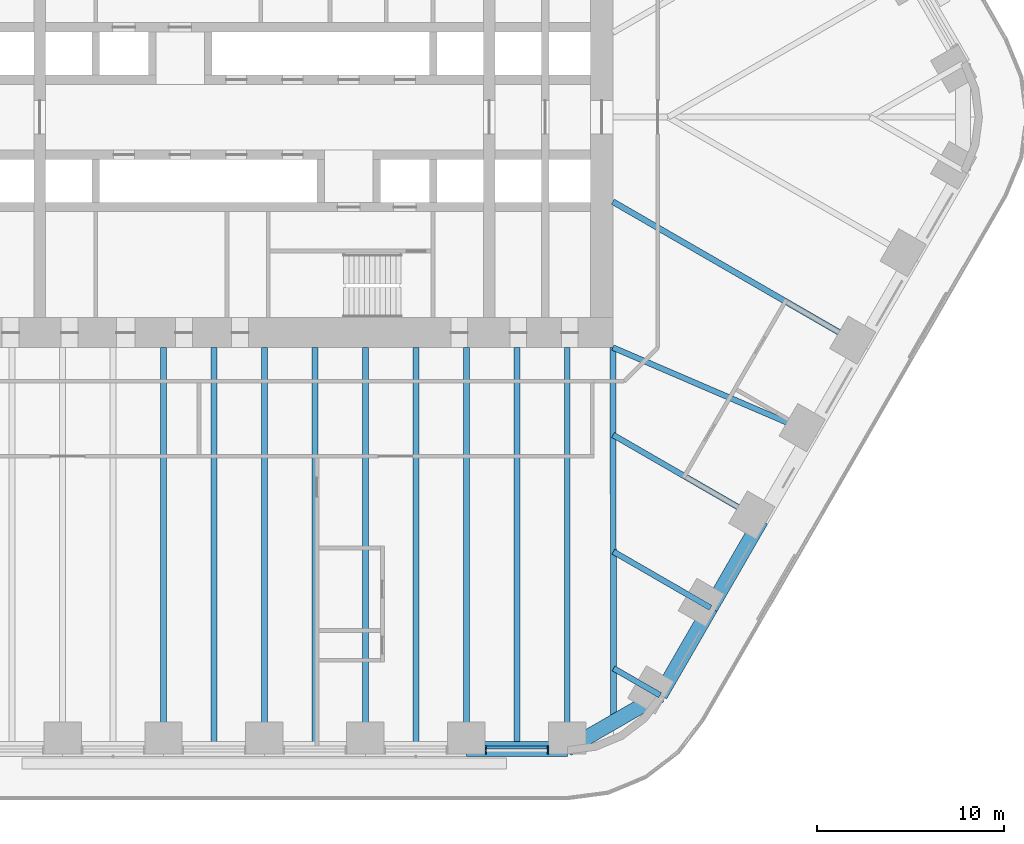
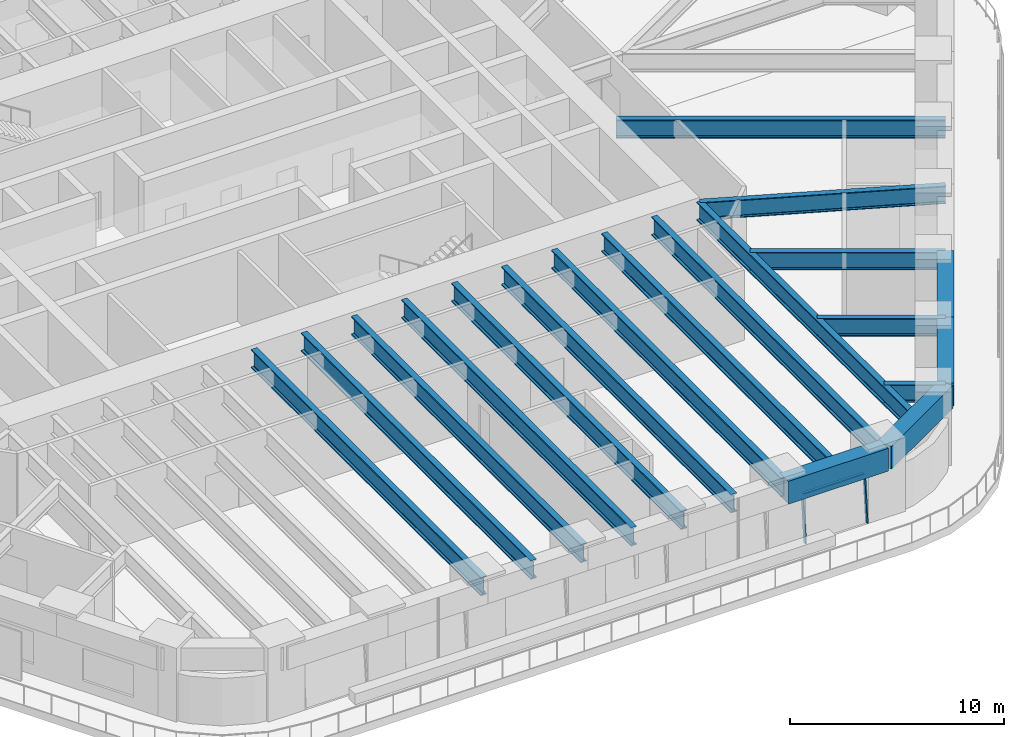
# One storey, part 5 of 23: 19 beams, 3 members, 1 element without a shape of its own.
"""IFC4 building model written with IfcOpenShell, lengths in metres."""

from ifc_helpers import new_model, si_unit, direction, frame, origin, origin_2d, place, context, subcontext, project, spatial, rectangle, i_section, extrude, material, material_profile, profile_set, type_object, element, aggregate, save


model = new_model("IFC4")

# Units and contexts
model_context = context("Model", 3, precision=1e-05, world=origin(), true_north=direction((0.0, 1.0)))
body_context = subcontext(model_context, "Body", "Model", "MODEL_VIEW")
ifc_project = project(units=[si_unit("LENGTHUNIT", "METRE"), si_unit("AREAUNIT", "SQUARE_METRE"), si_unit("VOLUMEUNIT", "CUBIC_METRE"), si_unit("PLANEANGLEUNIT", "RADIAN"), si_unit("MASSUNIT", "GRAM", prefix="KILO")], contexts=[model_context])

# Site, building, storey
site_placement = place(None, origin())
site = spatial("IfcSite", under=ifc_project, at=site_placement, CompositionType="ELEMENT")
building_placement = place(site_placement, origin())
building = spatial("IfcBuilding", under=site, at=building_placement, Name="Tarfa Lantern Tower", CompositionType="ELEMENT")
storey_placement = place(building_placement, frame((0.0, 0.0, 78.10009765625)))
storey = spatial("IfcBuildingStorey", under=building, at=storey_placement, Name="L17", CompositionType="ELEMENT", Elevation=78.10009765625)

# Curtain wall, members
ifc_material_1 = material(Name="Aluminium framed curtain wall", Category="aluminium")
curtain_wall_type = type_object("IfcCurtainWallType", Name="CW1 CANTED GLAZING LOW ZONE 2700", PredefinedType="USERDEFINED", material=ifc_material_1)
curtain_wall_placement = place(storey_placement, origin())
curtain_wall = element("IfcCurtainWall", 1, at=curtain_wall_placement, inside=storey, type_object=curtain_wall_type, Name="CW1 S L17", ObjectType="CURTAIN WALL", PredefinedType="USERDEFINED")
ifc_material_2 = material(Name="Aluminium mullion", Category="aluminium")
ifc_material_profile_1 = material_profile(ifc_material_2, rectangle(XDim=0.06494140625, YDim=0.199951171875, at=origin_2d()), Name="AL MULLION 65x200")
ifc_profile_set_1 = profile_set([ifc_material_profile_1], Name="Aluminium mullion")
member_type_1 = type_object("IfcMemberType", Name="CWM1 MULLION 65x200", PredefinedType="MULLION", material=ifc_profile_set_1)
member_1_placement = place(storey_placement, frame((11.809814453125, -33.89990234375, 0.0), z_axis=(0.0, 0.092199863775, 0.995740520979), x_axis=(-1.0, 0.0, 0.0)))
member_1 = element("IfcMember", 2, at=member_1_placement, type_object=member_type_1, Name="CW1 mullion 1", PredefinedType="MULLION", context=body_context, shape_type="SweptSolid", body=[
    extrude(rectangle(XDim=0.06494140625, YDim=0.199951171875, at=origin_2d()), origin(), (0.0, 0.0, 1.0), 2.71142578125),
])
member_2_placement = place(storey_placement, frame((15.13330078125, -33.89990234375, 0.0), z_axis=(0.0, 0.092199863775, 0.995740520979), x_axis=(-1.0, 0.0, 0.0)))
member_2 = element("IfcMember", 3, at=member_2_placement, type_object=member_type_1, Name="CW1 mullion 2", PredefinedType="MULLION", context=body_context, shape_type="SweptSolid", body=[
    extrude(rectangle(XDim=0.06494140625, YDim=0.199951171875, at=origin_2d()), origin(), (0.0, 0.0, 1.0), 2.71142578125),
])
ifc_material_3 = material(Name="Aluminium transom", Category="aluminium")
ifc_material_profile_2 = material_profile(ifc_material_3, rectangle(XDim=0.14990234375, YDim=0.06494140625, at=origin_2d()), Name="AL TRANSOM 150x65")
ifc_profile_set_2 = profile_set([ifc_material_profile_2], Name="Aluminium transom")
member_type_2 = type_object("IfcMemberType", Name="CWT1 TRANSOM 150x65", PredefinedType="USERDEFINED", material=ifc_profile_set_2)
member_3_placement = place(storey_placement, frame((11.84228515625, -33.653076171875, 2.66748046875), z_axis=(1.0, 0.0, 0.0), x_axis=(0.0, 1.0, 0.0)))
member_3 = element("IfcMember", 4, at=member_3_placement, type_object=member_type_2, Name="CW1 transom 1.2", ObjectType="TRANSOM", PredefinedType="USERDEFINED", context=body_context, shape_type="SweptSolid", body=[
    extrude(rectangle(XDim=0.14990234375, YDim=0.06494140625, at=origin_2d()), origin(), (0.0, 0.0, 1.0), 3.258544921875),
])
aggregate(curtain_wall, [member_1, member_2, member_3])

# Beams
ifc_material_4 = material(Name="Concrete C80/95", Category="concrete")
ifc_material_profile_3 = material_profile(ifc_material_4, rectangle(XDim=0.800048828125, YDim=1.300048828125, at=origin_2d()), Name="RC 800x1300")
ifc_profile_set_3 = profile_set([ifc_material_profile_3], Name="Concrete C80/95")
beam_type_1 = type_object("IfcBeamType", Name="EB1 RC 800x1300", PredefinedType="SPANDREL", material=ifc_profile_set_3)
beam_1_placement = place(storey_placement, frame((10.777099609375, -33.719970703125, 3.349853515625), z_axis=(1.0, 0.0, 0.0), x_axis=(0.0, 1.0, 0.0)))
element("IfcBeam", 5, at=beam_1_placement, inside=storey, type_object=beam_type_1, Name="Edge beam S5", PredefinedType="SPANDREL", context=body_context, shape_type="SweptSolid", body=[
    extrude(rectangle(XDim=0.800048828125, YDim=1.300048828125, at=origin_2d()), origin(), (0.0, 0.0, 1.0), 5.388671875),
])
beam_2_placement = place(storey_placement, frame((16.165771484375, -33.719970703125, 3.349853515625), z_axis=(0.866033479681, 0.499986011877, 0.0), x_axis=(-0.499986011877, 0.866033479681, 0.0)))
element("IfcBeam", 6, at=beam_2_placement, inside=storey, type_object=beam_type_1, Name="Edge beam S6", PredefinedType="SPANDREL", context=body_context, shape_type="SweptSolid", body=[
    extrude(rectangle(XDim=0.800048828125, YDim=1.300048828125, at=origin_2d()), origin(), (0.0, 0.0, 1.0), 5.719970703125),
])
for number, where, z_axis, x_axis, name in (
    (7, (21.119384765625, -30.860107421875, 3.349853515625), (0.499998287579, 0.866026392449, 0.0), (-0.866026392449, 0.499998287579, 0.0), "Edge beam SE0"),
    (8, (23.813720703125, -26.193359375, 3.349853515625), (0.499998287579, 0.866026392449, 0.0), (-0.866026392449, 0.499998287579, 0.0), "Edge beam SE1"),
):
    element("IfcBeam", number, at=place(storey_placement, frame(where, z_axis=z_axis, x_axis=x_axis)), inside=storey, type_object=beam_type_1, Name=name, PredefinedType="SPANDREL", context=body_context, shape_type="SweptSolid", body=[
        extrude(rectangle(XDim=0.800048828125, YDim=1.300048828125, at=origin_2d()), origin(), (0.0, 0.0, 1.0), 5.388671875),
    ])
ifc_material_5 = material(Name="Steel S460M", Category="steel")
ifc_material_profile_4 = material_profile(ifc_material_5, i_section(OverallWidth=0.302001953125, OverallDepth=1.008056640625, WebThickness=0.02099609375, FlangeThickness=0.0400390625, FilletRadius=0.030029296875, at=origin_2d()), Name="UB1016x305x349")
ifc_profile_set_4 = profile_set([ifc_material_profile_4], Name="Steel S460M")
beam_type_2 = type_object("IfcBeamType", Name="UB1016x305x349", PredefinedType="BEAM", material=ifc_profile_set_4)
beam_3_placement = place(storey_placement, frame((21.119384765625, -30.860107421875, 3.495849609375), z_axis=(-0.866012580594, 0.500022209759, 0.0), x_axis=(-0.500022209759, -0.866012580594, 0.0)))
element("IfcBeam", 9, at=beam_3_placement, inside=storey, type_object=beam_type_2, Name="Floor beam SE0", PredefinedType="BEAM", context=body_context, shape_type="SweptSolid", body=[
    extrude(i_section(OverallWidth=0.302001953125, OverallDepth=1.008056640625, WebThickness=0.02099609375, FlangeThickness=0.0400390625, FilletRadius=0.030029296875, at=origin_2d()), origin(), (0.0, 0.0, 1.0), 2.866943359375),
])
beam_4_placement = place(storey_placement, frame((23.813720703125, -26.193359375, 3.495849609375), z_axis=(-0.866015997389, 0.500016292001, 0.0), x_axis=(-0.500016292001, -0.866015997389, 0.0)))
element("IfcBeam", 10, at=beam_4_placement, inside=storey, type_object=beam_type_2, Name="Floor beam SE1", PredefinedType="BEAM", context=body_context, shape_type="SweptSolid", body=[
    extrude(i_section(OverallWidth=0.302001953125, OverallDepth=1.008056640625, WebThickness=0.02099609375, FlangeThickness=0.0400390625, FilletRadius=0.030029296875, at=origin_2d()), origin(), (0.0, 0.0, 1.0), 5.993408203125),
])
beam_5_placement = place(storey_placement, frame((26.508056640625, -21.526611328125, 3.495849609375), z_axis=(-0.866035355799, 0.49998276221, 0.0), x_axis=(-0.49998276221, -0.866035355799, 0.0)))
element("IfcBeam", 11, at=beam_5_placement, inside=storey, type_object=beam_type_2, Name="Floor beam SE2", PredefinedType="BEAM", context=body_context, shape_type="SweptSolid", body=[
    extrude(i_section(OverallWidth=0.302001953125, OverallDepth=1.008056640625, WebThickness=0.02099609375, FlangeThickness=0.0400390625, FilletRadius=0.030029296875, at=origin_2d()), origin(), (0.0, 0.0, 1.0), 9.119873046875),
])
beam_6_placement = place(storey_placement, frame((29.202392578125, -16.860107421875, 3.495849609375), z_axis=(-0.918635483867, 0.395106122175, 0.0), x_axis=(-0.395106122175, -0.918635483867, 0.0)))
element("IfcBeam", 12, at=beam_6_placement, inside=storey, type_object=beam_type_2, Name="Floor beam SE3", PredefinedType="BEAM", context=body_context, shape_type="SweptSolid", body=[
    extrude(i_section(OverallWidth=0.302001953125, OverallDepth=1.008056640625, WebThickness=0.02099609375, FlangeThickness=0.0400390625, FilletRadius=0.030029296875, at=origin_2d()), origin(), (0.0, 0.0, 1.0), 11.541259765625),
])
ifc_material_profile_5 = material_profile(ifc_material_5, i_section(OverallWidth=0.314208984375, OverallDepth=1.055908203125, WebThickness=0.035888671875, FlangeThickness=0.06396484375, FilletRadius=0.030029296875, at=origin_2d()), Name="UB1016x305x584")
ifc_profile_set_5 = profile_set([ifc_material_profile_5], Name="Steel S460M")
beam_type_3 = type_object("IfcBeamType", Name="UB1016x305x584", PredefinedType="BEAM", material=ifc_profile_set_5)
beam_7_placement = place(storey_placement, frame((18.60009765625, -12.300048828125, 3.471923828125), z_axis=(0.00212508222, -0.99999774201, 0.0), x_axis=(0.99999774201, 0.00212508222, 0.0)))
element("IfcBeam", 13, at=beam_7_placement, inside=storey, type_object=beam_type_3, Name="Hip girder SE", PredefinedType="BEAM", context=body_context, shape_type="SweptSolid", body=[
    extrude(i_section(OverallWidth=0.314208984375, OverallDepth=1.055908203125, WebThickness=0.035888671875, FlangeThickness=0.06396484375, FilletRadius=0.030029296875, at=origin_2d()), origin(), (0.0, 0.0, 1.0), 19.989990234375),
])
for number, where, z_axis, x_axis, name in (
    (14, (-5.388671875, -33.719970703125, 3.471923828125), (0.0, 1.0, 0.0), (-1.0, 0.0, 0.0), "Floor beam S2"),
    (15, (0.0, -33.719970703125, 3.471923828125), (0.0, 1.0, 0.0), (-1.0, 0.0, 0.0), "Floor beam S3"),
    (16, (5.388671875, -33.719970703125, 3.471923828125), (0.0, 1.0, 0.0), (-1.0, 0.0, 0.0), "Floor beam S4"),
    (17, (10.777099609375, -33.719970703125, 3.471923828125), (0.0, 1.0, 0.0), (-1.0, 0.0, 0.0), "Floor beam S5"),
    (18, (16.165771484375, -33.719970703125, 3.471923828125), (0.0, 1.0, 0.0), (-1.0, 0.0, 0.0), "Floor beam S6"),
):
    element("IfcBeam", number, at=place(storey_placement, frame(where, z_axis=z_axis, x_axis=x_axis)), inside=storey, type_object=beam_type_3, Name=name, PredefinedType="BEAM", context=body_context, shape_type="SweptSolid", body=[
        extrude(i_section(OverallWidth=0.314208984375, OverallDepth=1.055908203125, WebThickness=0.035888671875, FlangeThickness=0.06396484375, FilletRadius=0.030029296875, at=origin_2d()), origin(), (0.0, 0.0, 1.0), 21.419921875),
    ])
beam_8_placement = place(storey_placement, frame((31.896728515625, -12.193359375, 3.471923828125), z_axis=(-0.866026971665, 0.499997284341, 0.0), x_axis=(-0.499997284341, -0.866026971665, 0.0)))
element("IfcBeam", 19, at=beam_8_placement, inside=storey, type_object=beam_type_3, Name="Floor beam SE4", PredefinedType="BEAM", context=body_context, shape_type="SweptSolid", body=[
    extrude(i_section(OverallWidth=0.314208984375, OverallDepth=1.055908203125, WebThickness=0.035888671875, FlangeThickness=0.06396484375, FilletRadius=0.030029296875, at=origin_2d()), origin(), (0.0, 0.0, 1.0), 15.353515625),
])
for number, where, z_axis, x_axis, name in (
    (20, (-2.6943359375, -33.719970703125, 3.471923828125), (0.0, 1.0, 0.0), (-1.0, 0.0, 0.0), "Floor beam S2M"),
    (21, (2.6943359375, -33.719970703125, 3.471923828125), (0.0, 1.0, 0.0), (-1.0, 0.0, 0.0), "Floor beam S3M"),
    (22, (8.0830078125, -33.719970703125, 3.471923828125), (0.0, 1.0, 0.0), (-1.0, 0.0, 0.0), "Floor beam S4M"),
    (23, (13.471435546875, -33.719970703125, 3.471923828125), (0.0, 1.0, 0.0), (-1.0, 0.0, 0.0), "Floor beam S5M"),
):
    element("IfcBeam", number, at=place(storey_placement, frame(where, z_axis=z_axis, x_axis=x_axis)), inside=storey, type_object=beam_type_3, Name=name, PredefinedType="BEAM", context=body_context, shape_type="SweptSolid", body=[
        extrude(i_section(OverallWidth=0.314208984375, OverallDepth=1.055908203125, WebThickness=0.035888671875, FlangeThickness=0.06396484375, FilletRadius=0.030029296875, at=origin_2d()), origin(), (0.0, 0.0, 1.0), 21.419921875),
    ])

save(model, "model.ifc")
